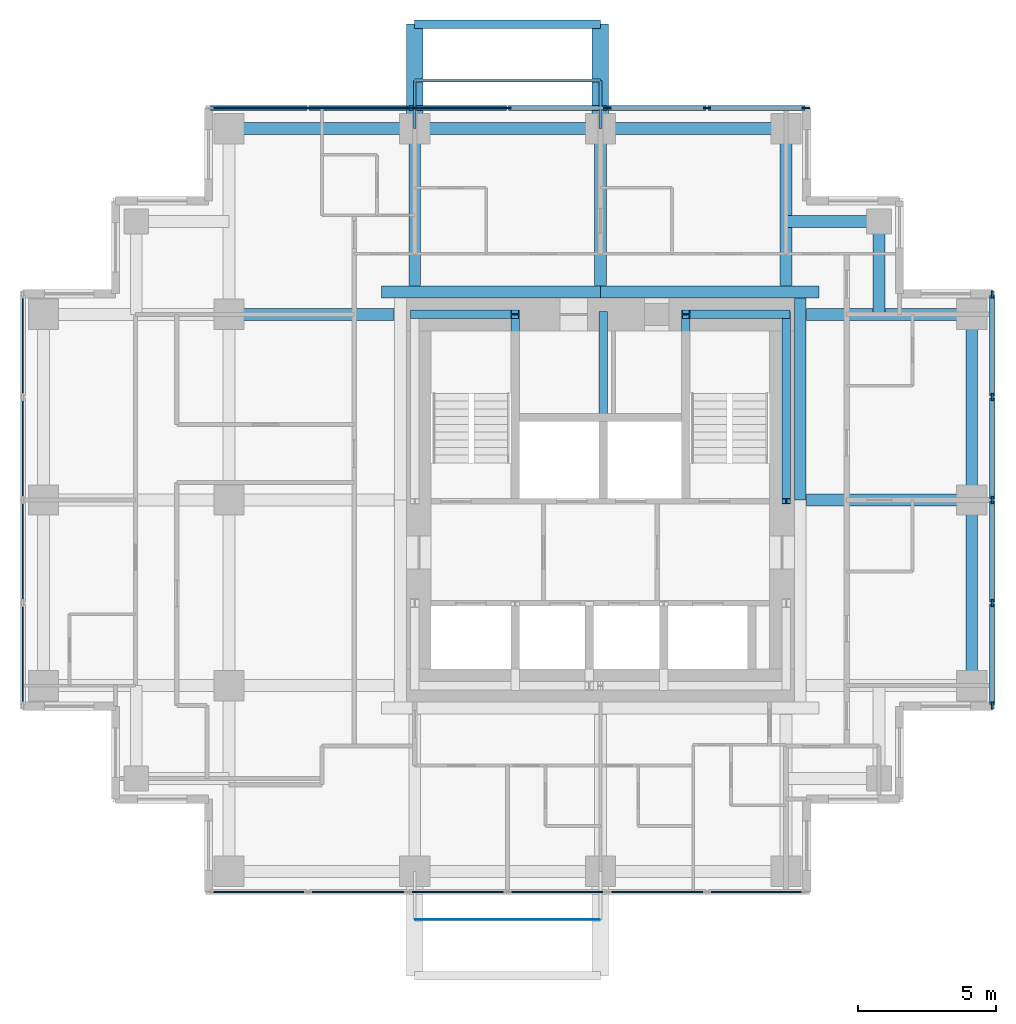
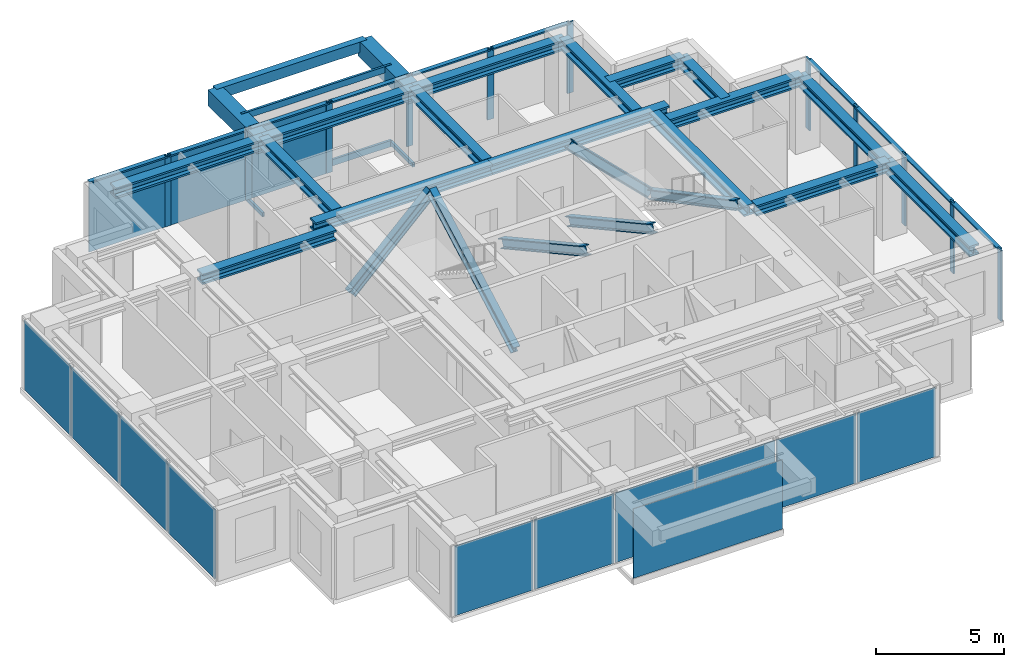
# One storey, part 2 of 7: 31 members, 19 beams, 14 plates, 4 elements without a shape of their own.
"""IFC4 building model written with IfcOpenShell, lengths in metres."""

from ifc_helpers import new_model, si_unit, direction, frame, origin, origin_2d, place, context, subcontext, project, spatial, rectangle, hollow_rectangle, i_section, extrude, material, layer, layer_set, material_profile, profile_set, type_object, element, aggregate, save


model = new_model("IFC4")

# Units and contexts
model_context = context("Model", 3, precision=1e-05, world=origin(), true_north=direction((0.0, 1.0)))
body_context = subcontext(model_context, "Body", "Model", "MODEL_VIEW")
ifc_project = project(units=[si_unit("LENGTHUNIT", "METRE"), si_unit("AREAUNIT", "SQUARE_METRE"), si_unit("VOLUMEUNIT", "CUBIC_METRE"), si_unit("PLANEANGLEUNIT", "RADIAN"), si_unit("MASSUNIT", "GRAM", prefix="KILO")], contexts=[model_context])

# Site, building, storey
site_placement = place(None, origin())
site = spatial("IfcSite", under=ifc_project, at=site_placement, CompositionType="ELEMENT")
building_placement = place(site_placement, origin())
building = spatial("IfcBuilding", under=site, at=building_placement, Name="Nyansa Garden Tower", CompositionType="ELEMENT")
storey_placement = place(building_placement, frame((0.0, 0.0, 215.10009765625)))
storey = spatial("IfcBuildingStorey", under=building, at=storey_placement, Name="L58", CompositionType="ELEMENT", Elevation=215.10009765625)

# Beams
ifc_material_1 = material(Name="Concrete C70/85", Category="concrete")
ifc_material_profile_1 = material_profile(ifc_material_1, rectangle(XDim=0.60009765625, YDim=0.75, at=origin_2d()), Name="RC 600x750")
ifc_profile_set_1 = profile_set([ifc_material_profile_1], Name="Concrete C70/85")
beam_type_1 = type_object("IfcBeamType", Name="Balcony cantilever beam CB1 RC 600x750", PredefinedType="BEAM", material=ifc_profile_set_1)
for number, where, z_axis, x_axis, name in (
    (1, (13.5, 33.75, 2.98486328125), (0.0, 1.0, 0.0), (-1.0, 0.0, 0.0), "Balcony cantilever beam L59"),
    (2, (20.25, 33.75, 2.98486328125), (0.0, 1.0, 0.0), (-1.0, 0.0, 0.0), "Balcony cantilever beam L59"),
):
    element("IfcBeam", number, at=place(storey_placement, frame(where, z_axis=z_axis, x_axis=x_axis)), inside=storey, type_object=beam_type_1, Name=name, PredefinedType="BEAM", context=body_context, shape_type="SweptSolid", body=[
        extrude(rectangle(XDim=0.60009765625, YDim=0.75, at=origin_2d()), origin(), (0.0, 0.0, 1.0), 3.800048828125),
    ])
ifc_material_2 = material(Name="Concrete C70/85", Category="concrete")
ifc_material_profile_2 = material_profile(ifc_material_2, rectangle(XDim=0.300048828125, YDim=0.5, at=origin_2d()), Name="RC 300x500")
ifc_profile_set_2 = profile_set([ifc_material_profile_2], Name="Concrete C70/85")
beam_type_2 = type_object("IfcBeamType", Name="Balcony edge beam BE1 RC 300x500", PredefinedType="BEAM", material=ifc_profile_set_2)
beam_1_placement = place(storey_placement, frame((13.5, 37.550048828125, 3.10986328125), z_axis=(1.0, 0.0, 0.0), x_axis=(0.0, 1.0, 0.0)))
element("IfcBeam", 3, at=beam_1_placement, inside=storey, type_object=beam_type_2, Name="Balcony edge beam L59", PredefinedType="BEAM", context=body_context, shape_type="SweptSolid", body=[
    extrude(rectangle(XDim=0.300048828125, YDim=0.5, at=origin_2d()), origin(), (0.0, 0.0, 1.0), 6.75),
])

# Curtain wall, members
ifc_material_3 = material(Name="Black anodised aluminium, dark tinted double glazing", Category="aluminium")
curtain_wall_type = type_object("IfcCurtainWallType", Name="Inner skin curtain wall ISW-D", PredefinedType="USERDEFINED", material=ifc_material_3)
curtain_wall_1_placement = place(storey_placement, origin())
curtain_wall_1 = element("IfcCurtainWall", 4, at=curtain_wall_1_placement, inside=storey, type_object=curtain_wall_type, Name="Inner skin curtain wall L58 E", ObjectType="UNITISED CURTAIN WALL", PredefinedType="USERDEFINED")
ifc_material_4 = material(Name="Black anodised aluminium", Category="aluminium")
ifc_material_profile_3 = material_profile(ifc_material_4, rectangle(XDim=0.070068359375, YDim=0.27490234375, at=origin_2d()), Name="Mullion 275x70")
ifc_profile_set_3 = profile_set([ifc_material_profile_3], Name="Black anodised aluminium")
member_type_1 = type_object("IfcMemberType", Name="Mullion ISW-D 275x70", PredefinedType="MULLION", material=ifc_profile_set_3)
member_1_placement = place(storey_placement, frame((34.5, 12.784912109375, 0.0), z_axis=(0.0, 0.0, 1.0), x_axis=(-1.0, 0.0, 0.0)))
member_1 = element("IfcMember", 5, at=member_1_placement, type_object=member_type_1, Name="ISW-D mullion 1", PredefinedType="MULLION", context=body_context, shape_type="SweptSolid", body=[
    extrude(rectangle(XDim=0.070068359375, YDim=0.27490234375, at=origin_2d()), origin(), (0.0, 0.0, 1.0), 3.375),
])
member_2_placement = place(storey_placement, frame((34.5, 16.5, 0.0), z_axis=(0.0, 0.0, 1.0), x_axis=(-1.0, 0.0, 0.0)))
member_2 = element("IfcMember", 6, at=member_2_placement, type_object=member_type_1, Name="ISW-D mullion 2", PredefinedType="MULLION", context=body_context, shape_type="SweptSolid", body=[
    extrude(rectangle(XDim=0.070068359375, YDim=0.27490234375, at=origin_2d()), origin(), (0.0, 0.0, 1.0), 3.375),
])
member_3_placement = place(storey_placement, frame((34.5, 20.25, 0.0), z_axis=(0.0, 0.0, 1.0), x_axis=(-1.0, 0.0, 0.0)))
member_3 = element("IfcMember", 7, at=member_3_placement, type_object=member_type_1, Name="ISW-D mullion 3", PredefinedType="MULLION", context=body_context, shape_type="SweptSolid", body=[
    extrude(rectangle(XDim=0.070068359375, YDim=0.27490234375, at=origin_2d()), origin(), (0.0, 0.0, 1.0), 3.375),
])
member_4_placement = place(storey_placement, frame((34.5, 24.0, 0.0), z_axis=(0.0, 0.0, 1.0), x_axis=(-1.0, 0.0, 0.0)))
member_4 = element("IfcMember", 8, at=member_4_placement, type_object=member_type_1, Name="ISW-D mullion 4", PredefinedType="MULLION", context=body_context, shape_type="SweptSolid", body=[
    extrude(rectangle(XDim=0.070068359375, YDim=0.27490234375, at=origin_2d()), origin(), (0.0, 0.0, 1.0), 3.375),
])
member_5_placement = place(storey_placement, frame((34.5, 27.715087890625, 0.0), z_axis=(0.0, 0.0, 1.0), x_axis=(-1.0, 0.0, 0.0)))
member_5 = element("IfcMember", 9, at=member_5_placement, type_object=member_type_1, Name="ISW-D mullion 5", PredefinedType="MULLION", context=body_context, shape_type="SweptSolid", body=[
    extrude(rectangle(XDim=0.070068359375, YDim=0.27490234375, at=origin_2d()), origin(), (0.0, 0.0, 1.0), 3.375),
])

curtain_wall_2_placement = place(storey_placement, origin())
curtain_wall_2 = element("IfcCurtainWall", 10, at=curtain_wall_2_placement, inside=storey, type_object=curtain_wall_type, Name="Inner skin curtain wall L58 N", ObjectType="UNITISED CURTAIN WALL", PredefinedType="USERDEFINED")
member_6_placement = place(storey_placement, frame((27.715087890625, 34.5, 0.0), z_axis=(0.0, 0.0, 1.0), x_axis=(0.0, -1.0, 0.0)))
member_6 = element("IfcMember", 11, at=member_6_placement, type_object=member_type_1, Name="ISW-D mullion 1", PredefinedType="MULLION", context=body_context, shape_type="SweptSolid", body=[
    extrude(rectangle(XDim=0.070068359375, YDim=0.27490234375, at=origin_2d()), origin(), (0.0, 0.0, 1.0), 3.375),
])
member_7_placement = place(storey_placement, frame((24.125, 34.5, 0.0), z_axis=(0.0, 0.0, 1.0), x_axis=(0.0, -1.0, 0.0)))
member_7 = element("IfcMember", 12, at=member_7_placement, type_object=member_type_1, Name="ISW-D mullion 2", PredefinedType="MULLION", context=body_context, shape_type="SweptSolid", body=[
    extrude(rectangle(XDim=0.070068359375, YDim=0.27490234375, at=origin_2d()), origin(), (0.0, 0.0, 1.0), 3.375),
])
member_8_placement = place(storey_placement, frame((20.5, 34.5, 0.0), z_axis=(0.0, 0.0, 1.0), x_axis=(0.0, -1.0, 0.0)))
member_8 = element("IfcMember", 13, at=member_8_placement, type_object=member_type_1, Name="ISW-D mullion 3", PredefinedType="MULLION", context=body_context, shape_type="SweptSolid", body=[
    extrude(rectangle(XDim=0.070068359375, YDim=0.27490234375, at=origin_2d()), origin(), (0.0, 0.0, 1.0), 3.375),
])
member_9_placement = place(storey_placement, frame((16.875, 34.5, 0.0), z_axis=(0.0, 0.0, 1.0), x_axis=(0.0, -1.0, 0.0)))
member_9 = element("IfcMember", 14, at=member_9_placement, type_object=member_type_1, Name="ISW-D mullion 4", PredefinedType="MULLION", context=body_context, shape_type="SweptSolid", body=[
    extrude(rectangle(XDim=0.070068359375, YDim=0.27490234375, at=origin_2d()), origin(), (0.0, 0.0, 1.0), 3.375),
])
member_10_placement = place(storey_placement, frame((13.25, 34.5, 0.0), z_axis=(0.0, 0.0, 1.0), x_axis=(0.0, -1.0, 0.0)))
member_10 = element("IfcMember", 15, at=member_10_placement, type_object=member_type_1, Name="ISW-D mullion 5", PredefinedType="MULLION", context=body_context, shape_type="SweptSolid", body=[
    extrude(rectangle(XDim=0.070068359375, YDim=0.27490234375, at=origin_2d()), origin(), (0.0, 0.0, 1.0), 3.375),
])
member_11_placement = place(storey_placement, frame((9.625, 34.5, 0.0), z_axis=(0.0, 0.0, 1.0), x_axis=(0.0, -1.0, 0.0)))
member_11 = element("IfcMember", 16, at=member_11_placement, type_object=member_type_1, Name="ISW-D mullion 6", PredefinedType="MULLION", context=body_context, shape_type="SweptSolid", body=[
    extrude(rectangle(XDim=0.070068359375, YDim=0.27490234375, at=origin_2d()), origin(), (0.0, 0.0, 1.0), 3.375),
])

# Members
ifc_material_5 = material(Name="Steel S355, black powder coated", Category="steel")
ifc_material_profile_4 = material_profile(ifc_material_5, hollow_rectangle(XDim=0.10009765625, YDim=0.199951171875, WallThickness=0.008056640625, at=origin_2d()), Name="RHS 200x100x8")
ifc_profile_set_4 = profile_set([ifc_material_profile_4], Name="Steel S355, black powder coated")
member_type_2 = type_object("IfcMemberType", Name="Outer skin bracket arm RHS 200x100x8", PredefinedType="USERDEFINED", material=ifc_profile_set_4)
for number, where, z_axis, x_axis, name in (
    (17, (13.5, 33.75, -0.375), (0.0, 1.0, 0.0), (-1.0, 0.0, 0.0), "Outer skin bracket arm"),
    (18, (20.25, 33.75, -0.375), (0.0, 1.0, 0.0), (-1.0, 0.0, 0.0), "Outer skin bracket arm"),
):
    element("IfcMember", number, at=place(storey_placement, frame(where, z_axis=z_axis, x_axis=x_axis)), inside=storey, type_object=member_type_2, Name=name, ObjectType="OUTER SKIN BRACKET", PredefinedType="USERDEFINED", context=body_context, shape_type="SweptSolid", body=[
        extrude(hollow_rectangle(XDim=0.10009765625, YDim=0.199951171875, WallThickness=0.008056640625, at=origin_2d()), origin(), (0.0, 0.0, 1.0), 1.75),
    ])
ifc_material_6 = material(Name="Steel S355, black powder coated", Category="steel")
ifc_material_profile_5 = material_profile(ifc_material_6, hollow_rectangle(XDim=0.10009765625, YDim=0.300048828125, WallThickness=0.010009765625, at=origin_2d()), Name="RHS 300x100x10")
ifc_profile_set_5 = profile_set([ifc_material_profile_5], Name="Steel S355, black powder coated")
member_type_3 = type_object("IfcMemberType", Name="Outer skin rail RHS 300x100x10", PredefinedType="USERDEFINED", material=ifc_profile_set_5)
for number, where, z_axis, x_axis, name in (
    (19, (13.5, 35.5, -0.375), (1.0, 0.0, 0.0), (0.0, 1.0, 0.0), "Outer skin rail L58"),
    (20, (13.5, 35.5, 3.224853515625), (1.0, 0.0, 0.0), (0.0, 1.0, 0.0), "Outer skin rail L58 head"),
):
    element("IfcMember", number, at=place(storey_placement, frame(where, z_axis=z_axis, x_axis=x_axis)), inside=storey, type_object=member_type_3, Name=name, ObjectType="OUTER SKIN RAIL", PredefinedType="USERDEFINED", context=body_context, shape_type="SweptSolid", body=[
        extrude(hollow_rectangle(XDim=0.10009765625, YDim=0.300048828125, WallThickness=0.010009765625, at=origin_2d()), origin(), (0.0, 0.0, 1.0), 6.75),
    ])
ifc_material_7 = material(Name="Steel S355", Category="steel")
ifc_material_profile_6 = material_profile(ifc_material_7, i_section(OverallWidth=0.306884765625, OverallDepth=0.431884765625, WebThickness=0.02099609375, FlangeThickness=0.0400390625, FilletRadius=0.027099609375, at=origin_2d()), Name="HE 400 M")
ifc_profile_set_6 = profile_set([ifc_material_profile_6], Name="Steel S355")
member_type_4 = type_object("IfcMemberType", Name="Perimeter brace HE 400 M", PredefinedType="BRACE", material=ifc_profile_set_6)
for number, where, z_axis, x_axis, name in (
    (21, (13.5, 27.0, 0.0), (0.711971340796, 0.0, 0.702208523079), (0.0, 1.0, 0.0), "Core brace CN3 L58"),
    (22, (27.0, 27.0, 0.0), (-0.711971340796, 0.0, 0.702208523079), (0.0, -1.0, 0.0), "Core brace CN4 L58"),
):
    element("IfcMember", number, at=place(storey_placement, frame(where, z_axis=z_axis, x_axis=x_axis)), inside=storey, type_object=member_type_4, Name=name, PredefinedType="BRACE", context=body_context, shape_type="SweptSolid", body=[
        extrude(i_section(OverallWidth=0.306884765625, OverallDepth=0.431884765625, WebThickness=0.02099609375, FlangeThickness=0.0400390625, FilletRadius=0.027099609375, at=origin_2d()), origin(), (0.0, 0.0, 1.0), 5.12646484375),
    ])
member_12_placement = place(storey_placement, frame((27.0, 27.0, 0.0), z_axis=(0.0, -0.883797178129, 0.467870225524), x_axis=(1.0, 0.0, 0.0)))
element("IfcMember", 23, at=member_12_placement, inside=storey, type_object=member_type_4, Name="Core brace CE8 L58", PredefinedType="BRACE", context=body_context, shape_type="SweptSolid", body=[
    extrude(i_section(OverallWidth=0.306884765625, OverallDepth=0.431884765625, WebThickness=0.02099609375, FlangeThickness=0.0400390625, FilletRadius=0.027099609375, at=origin_2d()), origin(), (0.0, 0.0, 1.0), 7.694091796875),
])
for number, where, z_axis, x_axis, name in (
    (24, (17.14990234375, 20.449951171875, 0.0), (0.0, 0.876366901673, 0.481644115143), (-1.0, 0.0, 0.0), "Core brace CWS9 L58"),
    (25, (23.35009765625, 27.0, 0.0), (0.0, -0.876366901673, 0.481644115143), (1.0, 0.0, 0.0), "Core brace CES10 L58"),
    (26, (20.35009765625, 27.0, 0.0), (0.0, -0.876366901673, 0.481644115143), (1.0, 0.0, 0.0), "Core brace CNW14 L58"),
):
    element("IfcMember", number, at=place(storey_placement, frame(where, z_axis=z_axis, x_axis=x_axis)), inside=storey, type_object=member_type_4, Name=name, PredefinedType="BRACE", context=body_context, shape_type="SweptSolid", body=[
        extrude(i_section(OverallWidth=0.306884765625, OverallDepth=0.431884765625, WebThickness=0.02099609375, FlangeThickness=0.0400390625, FilletRadius=0.027099609375, at=origin_2d()), origin(), (0.0, 0.0, 1.0), 7.47412109375),
    ])

# Beams
ifc_material_8 = material(Name="Steel S355", Category="steel")
ifc_material_profile_7 = material_profile(ifc_material_8, i_section(OverallWidth=0.431884765625, OverallDepth=0.498046875, WebThickness=0.0556640625, FlangeThickness=0.0888671875, FilletRadius=0.014892578125, at=origin_2d()), Name="HD 400x744")
ifc_profile_set_7 = profile_set([ifc_material_profile_7], Name="Steel S355")
beam_type_3 = type_object("IfcBeamType", Name="Steel beam SBD1-744 HD 400x744", PredefinedType="BEAM", material=ifc_profile_set_7)
beam_2_placement = place(storey_placement, frame((6.75, 27.0, 3.1259765625), z_axis=(1.0, 0.0, 0.0), x_axis=(0.0, 1.0, 0.0)))
element("IfcBeam", 27, at=beam_2_placement, inside=storey, type_object=beam_type_3, Name="Steel beam 3/H-12.750/H L59", PredefinedType="BEAM", context=body_context, shape_type="SweptSolid", body=[
    extrude(i_section(OverallWidth=0.431884765625, OverallDepth=0.498046875, WebThickness=0.0556640625, FlangeThickness=0.0888671875, FilletRadius=0.014892578125, at=origin_2d()), origin(), (0.0, 0.0, 1.0), 6.0),
])
for number, where, z_axis, x_axis, name in (
    (28, (13.5, 28.050048828125, 3.1259765625), (0.0, 1.0, 0.0), (-1.0, 0.0, 0.0), "Steel beam 4/28.050-4/J L59"),
    (29, (20.25, 28.050048828125, 3.1259765625), (0.0, 1.0, 0.0), (-1.0, 0.0, 0.0), "Steel beam 5/28.050-5/J L59"),
):
    element("IfcBeam", number, at=place(storey_placement, frame(where, z_axis=z_axis, x_axis=x_axis)), inside=storey, type_object=beam_type_3, Name=name, PredefinedType="BEAM", context=body_context, shape_type="SweptSolid", body=[
        extrude(i_section(OverallWidth=0.431884765625, OverallDepth=0.498046875, WebThickness=0.0556640625, FlangeThickness=0.0888671875, FilletRadius=0.014892578125, at=origin_2d()), origin(), (0.0, 0.0, 1.0), 5.699951171875),
    ])
beam_3_placement = place(storey_placement, frame((27.75, 20.25, 3.1259765625), z_axis=(1.0, 0.0, 0.0), x_axis=(0.0, 1.0, 0.0)))
element("IfcBeam", 30, at=beam_3_placement, inside=storey, type_object=beam_type_3, Name="Steel beam 27.750/G-7/G L59", PredefinedType="BEAM", context=body_context, shape_type="SweptSolid", body=[
    extrude(i_section(OverallWidth=0.431884765625, OverallDepth=0.498046875, WebThickness=0.0556640625, FlangeThickness=0.0888671875, FilletRadius=0.014892578125, at=origin_2d()), origin(), (0.0, 0.0, 1.0), 6.0),
])
beam_4_placement = place(storey_placement, frame((27.0, 28.050048828125, 3.1259765625), z_axis=(0.0, 1.0, 0.0), x_axis=(-1.0, 0.0, 0.0)))
element("IfcBeam", 31, at=beam_4_placement, inside=storey, type_object=beam_type_3, Name="Steel beam 6/28.050-6/J L59", PredefinedType="BEAM", context=body_context, shape_type="SweptSolid", body=[
    extrude(i_section(OverallWidth=0.431884765625, OverallDepth=0.498046875, WebThickness=0.0556640625, FlangeThickness=0.0888671875, FilletRadius=0.014892578125, at=origin_2d()), origin(), (0.0, 0.0, 1.0), 5.699951171875),
])
beam_5_placement = place(storey_placement, frame((27.75, 27.0, 3.1259765625), z_axis=(1.0, 0.0, 0.0), x_axis=(0.0, 1.0, 0.0)))
element("IfcBeam", 32, at=beam_5_placement, inside=storey, type_object=beam_type_3, Name="Steel beam 27.750/H-7/H L59", PredefinedType="BEAM", context=body_context, shape_type="SweptSolid", body=[
    extrude(i_section(OverallWidth=0.431884765625, OverallDepth=0.498046875, WebThickness=0.0556640625, FlangeThickness=0.0888671875, FilletRadius=0.014892578125, at=origin_2d()), origin(), (0.0, 0.0, 1.0), 6.0),
])
ifc_material_9 = material(Name="Steel S355", Category="steel")
ifc_material_profile_8 = material_profile(ifc_material_9, i_section(OverallWidth=0.431884765625, OverallDepth=0.498046875, WebThickness=0.0556640625, FlangeThickness=0.0888671875, FilletRadius=0.014892578125, at=origin_2d()), Name="HD 400x744")
ifc_profile_set_8 = profile_set([ifc_material_profile_8], Name="Steel S355")
beam_type_4 = type_object("IfcBeamType", Name="Steel beam SEBD-744 HD 400x744", PredefinedType="BEAM", material=ifc_profile_set_8)
for number, where, z_axis, x_axis, name in (
    (33, (6.75, 33.75, 3.1259765625), (1.0, 0.0, 0.0), (0.0, 1.0, 0.0), "Steel edge beam 3/J-4/J L59"),
    (34, (13.5, 33.75, 3.1259765625), (1.0, 0.0, 0.0), (0.0, 1.0, 0.0), "Steel edge beam 4/J-5/J L59"),
    (35, (20.25, 33.75, 3.1259765625), (1.0, 0.0, 0.0), (0.0, 1.0, 0.0), "Steel edge beam 5/J-6/J L59"),
    (36, (33.75, 13.5, 3.1259765625), (0.0, 1.0, 0.0), (-1.0, 0.0, 0.0), "Steel edge beam 7/F-7/G L59"),
    (37, (33.75, 20.25, 3.1259765625), (0.0, 1.0, 0.0), (-1.0, 0.0, 0.0), "Steel edge beam 7/G-7/H L59"),
):
    element("IfcBeam", number, at=place(storey_placement, frame(where, z_axis=z_axis, x_axis=x_axis)), inside=storey, type_object=beam_type_4, Name=name, PredefinedType="BEAM", context=body_context, shape_type="SweptSolid", body=[
        extrude(i_section(OverallWidth=0.431884765625, OverallDepth=0.498046875, WebThickness=0.0556640625, FlangeThickness=0.0888671875, FilletRadius=0.014892578125, at=origin_2d()), origin(), (0.0, 0.0, 1.0), 6.75),
    ])
ifc_material_10 = material(Name="Steel S355", Category="steel")
ifc_material_profile_9 = material_profile(ifc_material_10, i_section(OverallWidth=0.431884765625, OverallDepth=0.498046875, WebThickness=0.0556640625, FlangeThickness=0.0888671875, FilletRadius=0.014892578125, at=origin_2d()), Name="HD 400x744")
ifc_profile_set_9 = profile_set([ifc_material_profile_9], Name="Steel S355")
beam_type_5 = type_object("IfcBeamType", Name="Steel beam SLB1-744 HD 400x744", PredefinedType="BEAM", material=ifc_profile_set_9)
beam_6_placement = place(storey_placement, frame((27.51611328125, 20.25, 3.1259765625), z_axis=(0.0, 1.0, 0.0), x_axis=(-1.0, 0.0, 0.0)))
element("IfcBeam", 38, at=beam_6_placement, inside=storey, type_object=beam_type_5, Name="Steel core ledger beam E.2 L59", PredefinedType="BEAM", context=body_context, shape_type="SweptSolid", body=[
    extrude(i_section(OverallWidth=0.431884765625, OverallDepth=0.498046875, WebThickness=0.0556640625, FlangeThickness=0.0888671875, FilletRadius=0.014892578125, at=origin_2d()), origin(), (0.0, 0.0, 1.0), 7.35009765625),
])
for number, where, z_axis, x_axis, name in (
    (39, (28.199951171875, 27.81591796875, 3.1259765625), (-1.0, 0.0, 0.0), (0.0, -1.0, 0.0), "Steel core ledger beam N.1 L59"),
    (40, (20.25, 27.81591796875, 3.1259765625), (-1.0, 0.0, 0.0), (0.0, -1.0, 0.0), "Steel core ledger beam N.2 L59"),
):
    element("IfcBeam", number, at=place(storey_placement, frame(where, z_axis=z_axis, x_axis=x_axis)), inside=storey, type_object=beam_type_5, Name=name, PredefinedType="BEAM", context=body_context, shape_type="SweptSolid", body=[
        extrude(i_section(OverallWidth=0.431884765625, OverallDepth=0.498046875, WebThickness=0.0556640625, FlangeThickness=0.0888671875, FilletRadius=0.014892578125, at=origin_2d()), origin(), (0.0, 0.0, 1.0), 7.949951171875),
    ])
ifc_material_11 = material(Name="Steel S355", Category="steel")
ifc_material_profile_10 = material_profile(ifc_material_11, i_section(OverallWidth=0.431884765625, OverallDepth=0.498046875, WebThickness=0.0556640625, FlangeThickness=0.0888671875, FilletRadius=0.014892578125, at=origin_2d()), Name="HD 400x744")
ifc_profile_set_10 = profile_set([ifc_material_profile_10], Name="Steel S355")
beam_type_6 = type_object("IfcBeamType", Name="Steel beam SSB1-744 HD 400x744", PredefinedType="BEAM", material=ifc_profile_set_10)
for number, where, z_axis, x_axis, name in (
    (41, (30.375, 30.375, 3.1259765625), (0.0, -1.0, 0.0), (1.0, 0.0, 0.0), "Steel step beam 30.375/30.375 L59"),
    (42, (30.375, 30.375, 3.1259765625), (-1.0, 0.0, 0.0), (0.0, -1.0, 0.0), "Steel step beam 30.375/30.375 L59"),
):
    element("IfcBeam", number, at=place(storey_placement, frame(where, z_axis=z_axis, x_axis=x_axis)), inside=storey, type_object=beam_type_6, Name=name, PredefinedType="BEAM", context=body_context, shape_type="SweptSolid", body=[
        extrude(i_section(OverallWidth=0.431884765625, OverallDepth=0.498046875, WebThickness=0.0556640625, FlangeThickness=0.0888671875, FilletRadius=0.014892578125, at=origin_2d()), origin(), (0.0, 0.0, 1.0), 3.375),
    ])

# Member
ifc_material_12 = material(Name="Black anodised aluminium", Category="aluminium")
ifc_material_profile_11 = material_profile(ifc_material_12, rectangle(XDim=0.195068359375, YDim=0.070068359375, at=origin_2d()), Name="Transom 195x70")
ifc_profile_set_11 = profile_set([ifc_material_profile_11], Name="Black anodised aluminium")
member_type_5 = type_object("IfcMemberType", Name="Transom ISW-D 195x70", PredefinedType="USERDEFINED", material=ifc_profile_set_11)
member_13_placement = place(storey_placement, frame((34.5, 12.820068359375, 3.33984375), z_axis=(0.0, 1.0, 0.0), x_axis=(-1.0, 0.0, 0.0)))
member_13 = element("IfcMember", 43, at=member_13_placement, type_object=member_type_5, Name="ISW-D transom 1", ObjectType="TRANSOM", PredefinedType="USERDEFINED", context=body_context, shape_type="SweptSolid", body=[
    extrude(rectangle(XDim=0.195068359375, YDim=0.070068359375, at=origin_2d()), origin(), (0.0, 0.0, 1.0), 3.64501953125),
])

member_14_placement = place(storey_placement, frame((34.5, 16.534912109375, 3.33984375), z_axis=(0.0, 1.0, 0.0), x_axis=(-1.0, 0.0, 0.0)))
member_14 = element("IfcMember", 44, at=member_14_placement, type_object=member_type_5, Name="ISW-D transom 2", ObjectType="TRANSOM", PredefinedType="USERDEFINED", context=body_context, shape_type="SweptSolid", body=[
    extrude(rectangle(XDim=0.195068359375, YDim=0.070068359375, at=origin_2d()), origin(), (0.0, 0.0, 1.0), 3.68017578125),
])

member_15_placement = place(storey_placement, frame((34.5, 20.284912109375, 3.33984375), z_axis=(0.0, 1.0, 0.0), x_axis=(-1.0, 0.0, 0.0)))
member_15 = element("IfcMember", 45, at=member_15_placement, type_object=member_type_5, Name="ISW-D transom 3", ObjectType="TRANSOM", PredefinedType="USERDEFINED", context=body_context, shape_type="SweptSolid", body=[
    extrude(rectangle(XDim=0.195068359375, YDim=0.070068359375, at=origin_2d()), origin(), (0.0, 0.0, 1.0), 3.68017578125),
])

member_16_placement = place(storey_placement, frame((34.5, 24.034912109375, 3.33984375), z_axis=(0.0, 1.0, 0.0), x_axis=(-1.0, 0.0, 0.0)))
member_16 = element("IfcMember", 46, at=member_16_placement, type_object=member_type_5, Name="ISW-D transom 4", ObjectType="TRANSOM", PredefinedType="USERDEFINED", context=body_context, shape_type="SweptSolid", body=[
    extrude(rectangle(XDim=0.195068359375, YDim=0.070068359375, at=origin_2d()), origin(), (0.0, 0.0, 1.0), 3.64501953125),
])

aggregate(curtain_wall_1, [member_1, member_2, member_3, member_4, member_5, member_13, member_14, member_15, member_16])

member_17_placement = place(storey_placement, frame((27.679931640625, 34.5, 3.33984375), z_axis=(-1.0, 0.0, 0.0), x_axis=(0.0, -1.0, 0.0)))
member_17 = element("IfcMember", 47, at=member_17_placement, type_object=member_type_5, Name="ISW-D transom 1", ObjectType="TRANSOM", PredefinedType="USERDEFINED", context=body_context, shape_type="SweptSolid", body=[
    extrude(rectangle(XDim=0.195068359375, YDim=0.070068359375, at=origin_2d()), origin(), (0.0, 0.0, 1.0), 3.52001953125),
])

member_18_placement = place(storey_placement, frame((24.090087890625, 34.5, 3.33984375), z_axis=(-1.0, 0.0, 0.0), x_axis=(0.0, -1.0, 0.0)))
member_18 = element("IfcMember", 48, at=member_18_placement, type_object=member_type_5, Name="ISW-D transom 2", ObjectType="TRANSOM", PredefinedType="USERDEFINED", context=body_context, shape_type="SweptSolid", body=[
    extrude(rectangle(XDim=0.195068359375, YDim=0.070068359375, at=origin_2d()), origin(), (0.0, 0.0, 1.0), 3.55517578125),
])

member_19_placement = place(storey_placement, frame((20.465087890625, 34.5, 3.33984375), z_axis=(-1.0, 0.0, 0.0), x_axis=(0.0, -1.0, 0.0)))
member_19 = element("IfcMember", 49, at=member_19_placement, type_object=member_type_5, Name="ISW-D transom 3", ObjectType="TRANSOM", PredefinedType="USERDEFINED", context=body_context, shape_type="SweptSolid", body=[
    extrude(rectangle(XDim=0.195068359375, YDim=0.070068359375, at=origin_2d()), origin(), (0.0, 0.0, 1.0), 3.55517578125),
])

member_20_placement = place(storey_placement, frame((16.840087890625, 34.5, 3.33984375), z_axis=(-1.0, 0.0, 0.0), x_axis=(0.0, -1.0, 0.0)))
member_20 = element("IfcMember", 50, at=member_20_placement, type_object=member_type_5, Name="ISW-D transom 4", ObjectType="TRANSOM", PredefinedType="USERDEFINED", context=body_context, shape_type="SweptSolid", body=[
    extrude(rectangle(XDim=0.195068359375, YDim=0.070068359375, at=origin_2d()), origin(), (0.0, 0.0, 1.0), 3.55517578125),
])

member_21_placement = place(storey_placement, frame((13.215087890625, 34.5, 3.33984375), z_axis=(-1.0, 0.0, 0.0), x_axis=(0.0, -1.0, 0.0)))
member_21 = element("IfcMember", 51, at=member_21_placement, type_object=member_type_5, Name="ISW-D transom 5", ObjectType="TRANSOM", PredefinedType="USERDEFINED", context=body_context, shape_type="SweptSolid", body=[
    extrude(rectangle(XDim=0.195068359375, YDim=0.070068359375, at=origin_2d()), origin(), (0.0, 0.0, 1.0), 3.55517578125),
])

member_22_placement = place(storey_placement, frame((9.590087890625, 34.5, 3.33984375), z_axis=(-1.0, 0.0, 0.0), x_axis=(0.0, -1.0, 0.0)))
member_22 = element("IfcMember", 52, at=member_22_placement, type_object=member_type_5, Name="ISW-D transom 6", ObjectType="TRANSOM", PredefinedType="USERDEFINED", context=body_context, shape_type="SweptSolid", body=[
    extrude(rectangle(XDim=0.195068359375, YDim=0.070068359375, at=origin_2d()), origin(), (0.0, 0.0, 1.0), 3.52001953125),
])

# Plate
ifc_material_13 = material(Name="Dark tinted laminated double glazing", Category="glass")
ifc_layer_1 = layer(ifc_material_13, 0.0439453125)
ifc_layer_set_1 = layer_set([ifc_layer_1], Name="Dark tinted vision panel VP-D")
plate_type_1 = type_object("IfcPlateType", Name="Dark tinted vision panel VP-D", PredefinedType="CURTAIN_PANEL", material=ifc_layer_set_1)
plate_1_placement = place(storey_placement, frame((15.0625, 34.5, 0.0), z_axis=(0.0, 0.0, 1.0), x_axis=(-1.0, 0.0, 0.0)))
plate_1 = element("IfcPlate", 53, at=plate_1_placement, type_object=plate_type_1, Name="ISW-D panel 4", PredefinedType="CURTAIN_PANEL", context=body_context, shape_type="SweptSolid", body=[
    extrude(rectangle(XDim=3.554931640625, YDim=0.0439453125, at=origin_2d()), origin(), (0.0, 0.0, 1.0), 3.304931640625),
])

plate_2_placement = place(storey_placement, frame((11.4375, 34.5, 0.0), z_axis=(0.0, 0.0, 1.0), x_axis=(-1.0, 0.0, 0.0)))
plate_2 = element("IfcPlate", 54, at=plate_2_placement, type_object=plate_type_1, Name="ISW-D panel 5", PredefinedType="CURTAIN_PANEL", context=body_context, shape_type="SweptSolid", body=[
    extrude(rectangle(XDim=3.554931640625, YDim=0.0439453125, at=origin_2d()), origin(), (0.0, 0.0, 1.0), 3.304931640625),
])

plate_3_placement = place(storey_placement, frame((7.830078125, 34.5, 0.0), z_axis=(0.0, 0.0, 1.0), x_axis=(-1.0, 0.0, 0.0)))
plate_3 = element("IfcPlate", 55, at=plate_3_placement, type_object=plate_type_1, Name="ISW-D panel 6", PredefinedType="CURTAIN_PANEL", context=body_context, shape_type="SweptSolid", body=[
    extrude(rectangle(XDim=3.52001953125, YDim=0.0439453125, at=origin_2d()), origin(), (0.0, 0.0, 1.0), 3.304931640625),
])

aggregate(curtain_wall_2, [member_6, member_7, member_8, member_9, member_10, member_11, member_17, member_18, member_19, member_20, plate_1, member_21, plate_2, member_22, plate_3])

# Curtain wall, plates
curtain_wall_3_placement = place(storey_placement, origin())
curtain_wall_3 = element("IfcCurtainWall", 56, at=curtain_wall_3_placement, inside=storey, type_object=curtain_wall_type, Name="Inner skin curtain wall L58 W", ObjectType="UNITISED CURTAIN WALL", PredefinedType="USERDEFINED")
plate_4_placement = place(storey_placement, frame((-0.75, 25.857421875, 0.0), z_axis=(0.0, 0.0, 1.0), x_axis=(0.0, -1.0, 0.0)))
plate_4 = element("IfcPlate", 57, at=plate_4_placement, type_object=plate_type_1, Name="ISW-D panel 1", PredefinedType="CURTAIN_PANEL", context=body_context, shape_type="SweptSolid", body=[
    extrude(rectangle(XDim=3.64501953125, YDim=0.0439453125, at=origin_2d()), origin(), (0.0, 0.0, 1.0), 3.304931640625),
])
plate_5_placement = place(storey_placement, frame((-0.75, 22.125, 0.0), z_axis=(0.0, 0.0, 1.0), x_axis=(0.0, -1.0, 0.0)))
plate_5 = element("IfcPlate", 58, at=plate_5_placement, type_object=plate_type_1, Name="ISW-D panel 2", PredefinedType="CURTAIN_PANEL", context=body_context, shape_type="SweptSolid", body=[
    extrude(rectangle(XDim=3.679931640625, YDim=0.0439453125, at=origin_2d()), origin(), (0.0, 0.0, 1.0), 3.304931640625),
])
plate_6_placement = place(storey_placement, frame((-0.75, 18.375, 0.0), z_axis=(0.0, 0.0, 1.0), x_axis=(0.0, -1.0, 0.0)))
plate_6 = element("IfcPlate", 59, at=plate_6_placement, type_object=plate_type_1, Name="ISW-D panel 3", PredefinedType="CURTAIN_PANEL", context=body_context, shape_type="SweptSolid", body=[
    extrude(rectangle(XDim=3.679931640625, YDim=0.0439453125, at=origin_2d()), origin(), (0.0, 0.0, 1.0), 3.304931640625),
])
plate_7_placement = place(storey_placement, frame((-0.75, 14.642578125, 0.0), z_axis=(0.0, 0.0, 1.0), x_axis=(0.0, -1.0, 0.0)))
plate_7 = element("IfcPlate", 60, at=plate_7_placement, type_object=plate_type_1, Name="ISW-D panel 4", PredefinedType="CURTAIN_PANEL", context=body_context, shape_type="SweptSolid", body=[
    extrude(rectangle(XDim=3.64501953125, YDim=0.0439453125, at=origin_2d()), origin(), (0.0, 0.0, 1.0), 3.304931640625),
])
aggregate(curtain_wall_3, [plate_4, plate_5, plate_6, plate_7])

curtain_wall_4_placement = place(storey_placement, origin())
curtain_wall_4 = element("IfcCurtainWall", 61, at=curtain_wall_4_placement, inside=storey, type_object=curtain_wall_type, Name="Inner skin curtain wall L58 S", ObjectType="UNITISED CURTAIN WALL", PredefinedType="USERDEFINED")
plate_8_placement = place(storey_placement, frame((7.830078125, 6.0, 0.0), z_axis=(0.0, 0.0, 1.0), x_axis=(1.0, 0.0, 0.0)))
plate_8 = element("IfcPlate", 62, at=plate_8_placement, type_object=plate_type_1, Name="ISW-D panel 1", PredefinedType="CURTAIN_PANEL", context=body_context, shape_type="SweptSolid", body=[
    extrude(rectangle(XDim=3.52001953125, YDim=0.0439453125, at=origin_2d()), origin(), (0.0, 0.0, 1.0), 3.304931640625),
])
plate_9_placement = place(storey_placement, frame((11.4375, 6.0, 0.0), z_axis=(0.0, 0.0, 1.0), x_axis=(1.0, 0.0, 0.0)))
plate_9 = element("IfcPlate", 63, at=plate_9_placement, type_object=plate_type_1, Name="ISW-D panel 2", PredefinedType="CURTAIN_PANEL", context=body_context, shape_type="SweptSolid", body=[
    extrude(rectangle(XDim=3.554931640625, YDim=0.0439453125, at=origin_2d()), origin(), (0.0, 0.0, 1.0), 3.304931640625),
])
plate_10_placement = place(storey_placement, frame((15.0625, 6.0, 0.0), z_axis=(0.0, 0.0, 1.0), x_axis=(1.0, 0.0, 0.0)))
plate_10 = element("IfcPlate", 64, at=plate_10_placement, type_object=plate_type_1, Name="ISW-D panel 3", PredefinedType="CURTAIN_PANEL", context=body_context, shape_type="SweptSolid", body=[
    extrude(rectangle(XDim=3.554931640625, YDim=0.0439453125, at=origin_2d()), origin(), (0.0, 0.0, 1.0), 3.304931640625),
])
plate_11_placement = place(storey_placement, frame((18.6875, 6.0, 0.0), z_axis=(0.0, 0.0, 1.0), x_axis=(1.0, 0.0, 0.0)))
plate_11 = element("IfcPlate", 65, at=plate_11_placement, type_object=plate_type_1, Name="ISW-D panel 4", PredefinedType="CURTAIN_PANEL", context=body_context, shape_type="SweptSolid", body=[
    extrude(rectangle(XDim=3.554931640625, YDim=0.0439453125, at=origin_2d()), origin(), (0.0, 0.0, 1.0), 3.304931640625),
])
plate_12_placement = place(storey_placement, frame((22.3125, 6.0, 0.0), z_axis=(0.0, 0.0, 1.0), x_axis=(1.0, 0.0, 0.0)))
plate_12 = element("IfcPlate", 66, at=plate_12_placement, type_object=plate_type_1, Name="ISW-D panel 5", PredefinedType="CURTAIN_PANEL", context=body_context, shape_type="SweptSolid", body=[
    extrude(rectangle(XDim=3.554931640625, YDim=0.0439453125, at=origin_2d()), origin(), (0.0, 0.0, 1.0), 3.304931640625),
])
plate_13_placement = place(storey_placement, frame((25.919921875, 6.0, 0.0), z_axis=(0.0, 0.0, 1.0), x_axis=(1.0, 0.0, 0.0)))
plate_13 = element("IfcPlate", 67, at=plate_13_placement, type_object=plate_type_1, Name="ISW-D panel 6", PredefinedType="CURTAIN_PANEL", context=body_context, shape_type="SweptSolid", body=[
    extrude(rectangle(XDim=3.52001953125, YDim=0.0439453125, at=origin_2d()), origin(), (0.0, 0.0, 1.0), 3.304931640625),
])
aggregate(curtain_wall_4, [plate_8, plate_9, plate_10, plate_11, plate_12, plate_13])

# Plate
ifc_material_14 = material(Name="Dark tinted laminated glass", Category="glass")
ifc_layer_2 = layer(ifc_material_14, 0.02392578125)
ifc_layer_set_2 = layer_set([ifc_layer_2], Name="Outer skin glass panel OS1")
plate_type_2 = type_object("IfcPlateType", Name="Outer skin glass panel OS1", PredefinedType="USERDEFINED", material=ifc_layer_set_2)
plate_14_placement = place(storey_placement, frame((16.875, 5.0, -0.22509765625), z_axis=(0.0, 0.0, 1.0), x_axis=(1.0, 0.0, 0.0)))
element("IfcPlate", 68, at=plate_14_placement, inside=storey, type_object=plate_type_2, Name="Outer skin glass panel L58", ObjectType="OUTER SKIN GLASS", PredefinedType="USERDEFINED", context=body_context, shape_type="SweptSolid", body=[
    extrude(rectangle(XDim=6.7099609375, YDim=0.02392578125, at=origin_2d()), origin(), (0.0, 0.0, 1.0), 3.300048828125),
])

save(model, "model.ifc")
